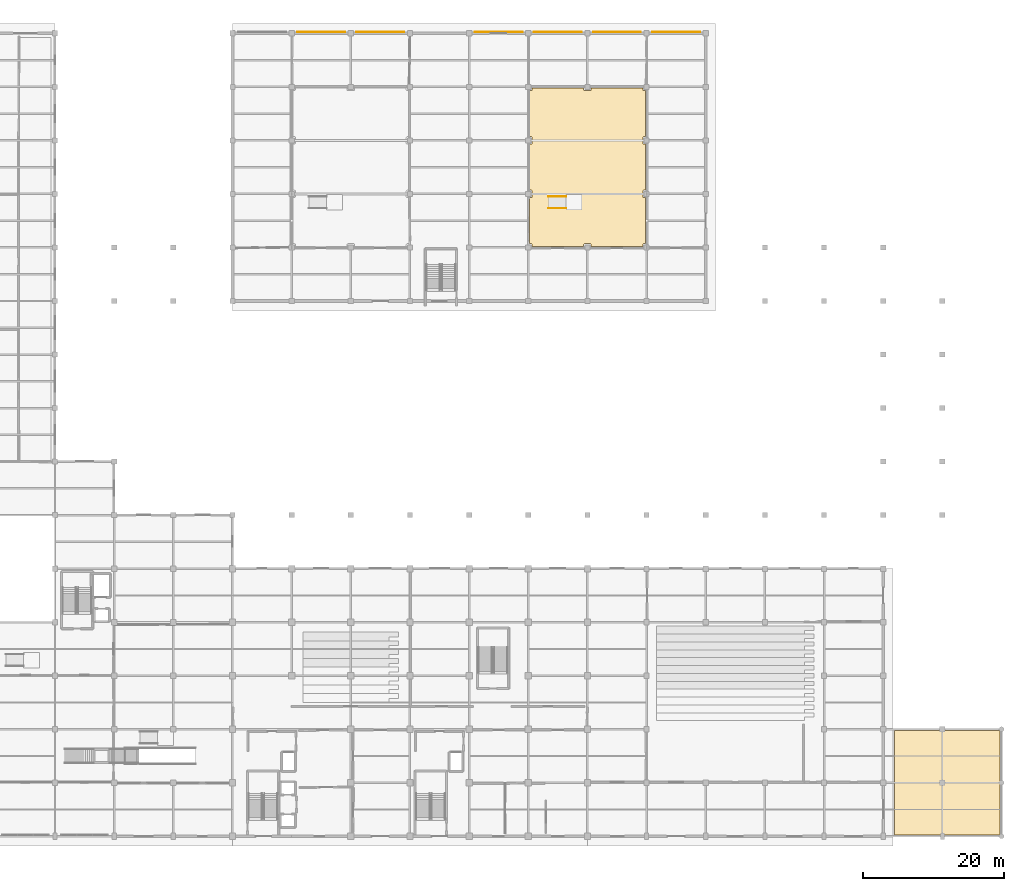
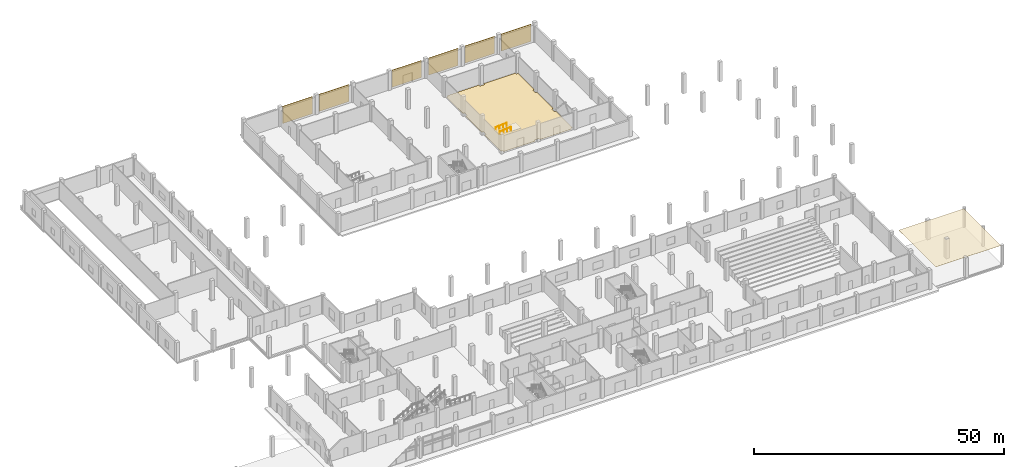
# One storey, part 36 of 36: 8 coverings, 2 railings.
"""IFC4 building model written with IfcOpenShell, lengths in metres."""

from ifc_helpers import new_model, si_unit, direction, frame, origin, origin_2d, place, context, subcontext, project, spatial, polyline, rectangle, circle, outline, extrude, material, layer, layer_set, type_object, element, save


model = new_model("IFC4")

# Units and contexts
model_context = context("Model", 3, precision=1e-05, world=origin(), true_north=direction((0.0, 1.0)))
body_context = subcontext(model_context, "Body", "Model", "MODEL_VIEW")
ifc_project = project(units=[si_unit("LENGTHUNIT", "METRE"), si_unit("AREAUNIT", "SQUARE_METRE"), si_unit("VOLUMEUNIT", "CUBIC_METRE"), si_unit("PLANEANGLEUNIT", "RADIAN"), si_unit("MASSUNIT", "GRAM", prefix="KILO")], contexts=[model_context])

# Site, building, storey
site_placement = place(None, origin())
site = spatial("IfcSite", under=ifc_project, at=site_placement, CompositionType="ELEMENT")
building_placement = place(site_placement, origin())
building = spatial("IfcBuilding", under=site, at=building_placement, Name="Zuvorla Pavilion Media Centre", CompositionType="ELEMENT")
storey_placement = place(building_placement, origin())
storey = spatial("IfcBuildingStorey", under=building, at=storey_placement, Name="L00", CompositionType="ELEMENT", Elevation=0.0)

# Coverings
ifc_material_1 = material(Name="Dark charcoal terracotta acoustic rainscreen cladding", Category="masonry")
ifc_layer_1 = layer(ifc_material_1, 0.06005859375)
ifc_layer_set_1 = layer_set([ifc_layer_1], Name="Dark charcoal terracotta acoustic rainscreen cladding")
covering_type_1 = type_object("IfcCoveringType", Name="COV-CLAD-DARK", PredefinedType="CLADDING", material=ifc_layer_set_1)
for number, where, z_axis, x_axis, name in (
    (1, (79.39990234375, 120.219970703125, 0.10009765625), (0.0, 0.0, 1.0), (1.0, 0.0, 0.0), "L00 charcoal terracotta cladding 2"),
    (2, (87.800048828125, 120.219970703125, 0.10009765625), (0.0, 0.0, 1.0), (1.0, 0.0, 0.0), "L00 charcoal terracotta cladding 3"),
    (3, (104.60009765625, 120.219970703125, 0.10009765625), (0.0, 0.0, 1.0), (1.0, 0.0, 0.0), "L00 charcoal terracotta cladding 4"),
    (4, (113.0, 120.219970703125, 0.10009765625), (0.0, 0.0, 1.0), (1.0, 0.0, 0.0), "L00 charcoal terracotta cladding 5"),
    (5, (121.39990234375, 120.219970703125, 0.10009765625), (0.0, 0.0, 1.0), (1.0, 0.0, 0.0), "L00 charcoal terracotta cladding 6"),
    (6, (129.800048828125, 120.219970703125, 0.10009765625), (0.0, 0.0, 1.0), (1.0, 0.0, 0.0), "L00 charcoal terracotta cladding 7"),
):
    element("IfcCovering", number, at=place(storey_placement, frame(where, z_axis=z_axis, x_axis=x_axis)), inside=storey, type_object=covering_type_1, Name=name, PredefinedType="CLADDING", context=body_context, shape_type="SweptSolid", body=[
        extrude(rectangle(XDim=6.800048828125, YDim=0.06005859375, at=origin_2d()), origin(), (0.0, 0.0, 1.0), 4.199951171875),
    ])
ifc_material_2 = material(Name="Floating resilient acoustic hardwood studio floor", Category="wood")
ifc_layer_2 = layer(ifc_material_2, 0.050048828125)
ifc_layer_set_2 = layer_set([ifc_layer_2], Name="Floating resilient acoustic hardwood studio floor")
covering_type_2 = type_object("IfcCoveringType", Name="COV-FLR-ACOUST", PredefinedType="FLOORING", material=ifc_layer_set_2)
covering_1_placement = place(storey_placement, origin())
element("IfcCovering", 7, at=covering_1_placement, inside=storey, type_object=covering_type_2, Name="L00 acoustic studio floor 4", PredefinedType="FLOORING", context=body_context, shape_type="SweptSolid", body=[
    extrude(outline(polyline([(109.18505859375, 96.6650390625), (109.19970703125, 96.665771484375), (109.21435546875, 96.66796875), (109.228515625, 96.67138671875), (109.242431640625, 96.676513671875), (109.255615234375, 96.6826171875), (109.268310546875, 96.690185546875), (109.2802734375, 96.698974609375), (109.291015625, 96.708984375), (109.301025390625, 96.7197265625), (109.309814453125, 96.731689453125), (109.3173828125, 96.744384765625), (109.323486328125, 96.757568359375), (109.32861328125, 96.771484375), (109.33203125, 96.78564453125), (109.334228515625, 96.80029296875), (109.3349609375, 96.81494140625), (109.3349609375, 97.5849609375), (109.334228515625, 97.599609375), (109.33203125, 97.6142578125), (109.32861328125, 97.62841796875), (109.323486328125, 97.642333984375), (109.3173828125, 97.65576171875), (109.309814453125, 97.668212890625), (109.301025390625, 97.68017578125), (109.291015625, 97.691162109375), (109.2802734375, 97.700927734375), (109.268310546875, 97.709716796875), (109.255615234375, 97.71728515625), (109.242431640625, 97.7236328125), (109.228515625, 97.728515625), (109.21435546875, 97.732177734375), (109.19970703125, 97.734375), (109.18505859375, 97.735107421875), (108.949951171875, 97.735107421875), (108.949951171875, 104.264892578125), (109.18505859375, 104.264892578125), (109.19970703125, 104.265625), (109.21435546875, 104.267822265625), (109.228515625, 104.271484375), (109.242431640625, 104.2763671875), (109.255615234375, 104.28271484375), (109.268310546875, 104.290283203125), (109.2802734375, 104.299072265625), (109.291015625, 104.308837890625), (109.301025390625, 104.31982421875), (109.309814453125, 104.331787109375), (109.3173828125, 104.34423828125), (109.323486328125, 104.357666015625), (109.32861328125, 104.37158203125), (109.33203125, 104.3857421875), (109.334228515625, 104.400390625), (109.3349609375, 104.4150390625), (109.3349609375, 105.18505859375), (109.334228515625, 105.19970703125), (109.33203125, 105.21435546875), (109.32861328125, 105.228515625), (109.323486328125, 105.242431640625), (109.3173828125, 105.255615234375), (109.309814453125, 105.268310546875), (109.301025390625, 105.2802734375), (109.291015625, 105.291015625), (109.2802734375, 105.301025390625), (109.268310546875, 105.309814453125), (109.255615234375, 105.3173828125), (109.242431640625, 105.323486328125), (109.228515625, 105.32861328125), (109.21435546875, 105.33203125), (109.19970703125, 105.334228515625), (109.18505859375, 105.3349609375), (108.949951171875, 105.3349609375), (108.949951171875, 111.864990234375), (109.18505859375, 111.864990234375), (109.19970703125, 111.86572265625), (109.21435546875, 111.867919921875), (109.228515625, 111.87158203125), (109.242431640625, 111.87646484375), (109.255615234375, 111.8828125), (109.268310546875, 111.890380859375), (109.2802734375, 111.89892578125), (109.291015625, 111.908935546875), (109.301025390625, 111.919921875), (109.309814453125, 111.931640625), (109.3173828125, 111.9443359375), (109.323486328125, 111.95751953125), (109.32861328125, 111.971435546875), (109.33203125, 111.985595703125), (109.334228515625, 112.000244140625), (109.3349609375, 112.014892578125), (109.3349609375, 112.239990234375), (116.6650390625, 112.239990234375), (116.6650390625, 112.014892578125), (116.665771484375, 112.000244140625), (116.66796875, 111.985595703125), (116.67138671875, 111.971435546875), (116.676513671875, 111.95751953125), (116.6826171875, 111.9443359375), (116.690185546875, 111.931640625), (116.698974609375, 111.919921875), (116.708984375, 111.908935546875), (116.7197265625, 111.89892578125), (116.731689453125, 111.890380859375), (116.744384765625, 111.8828125), (116.757568359375, 111.87646484375), (116.771484375, 111.87158203125), (116.78564453125, 111.867919921875), (116.80029296875, 111.86572265625), (116.81494140625, 111.864990234375), (117.5849609375, 111.864990234375), (117.599609375, 111.86572265625), (117.6142578125, 111.867919921875), (117.62841796875, 111.87158203125), (117.642333984375, 111.87646484375), (117.65576171875, 111.8828125), (117.668212890625, 111.890380859375), (117.68017578125, 111.89892578125), (117.691162109375, 111.908935546875), (117.700927734375, 111.919921875), (117.709716796875, 111.931640625), (117.71728515625, 111.9443359375), (117.7236328125, 111.95751953125), (117.728515625, 111.971435546875), (117.732177734375, 111.985595703125), (117.734375, 112.000244140625), (117.735107421875, 112.014892578125), (117.735107421875, 112.239990234375), (125.06494140625, 112.239990234375), (125.06494140625, 112.014892578125), (125.065673828125, 112.000244140625), (125.06787109375, 111.985595703125), (125.071533203125, 111.971435546875), (125.076416015625, 111.95751953125), (125.082763671875, 111.9443359375), (125.09033203125, 111.931640625), (125.09912109375, 111.919921875), (125.10888671875, 111.908935546875), (125.119873046875, 111.89892578125), (125.131591796875, 111.890380859375), (125.144287109375, 111.8828125), (125.15771484375, 111.87646484375), (125.17138671875, 111.87158203125), (125.185791015625, 111.867919921875), (125.2001953125, 111.86572265625), (125.215087890625, 111.864990234375), (125.43994140625, 111.864990234375), (125.43994140625, 105.3349609375), (125.215087890625, 105.3349609375), (125.2001953125, 105.334228515625), (125.185791015625, 105.33203125), (125.17138671875, 105.32861328125), (125.15771484375, 105.323486328125), (125.144287109375, 105.3173828125), (125.131591796875, 105.309814453125), (125.119873046875, 105.301025390625), (125.10888671875, 105.291015625), (125.09912109375, 105.2802734375), (125.09033203125, 105.268310546875), (125.082763671875, 105.255615234375), (125.076416015625, 105.242431640625), (125.071533203125, 105.228515625), (125.06787109375, 105.21435546875), (125.065673828125, 105.19970703125), (125.06494140625, 105.18505859375), (125.06494140625, 104.4150390625), (125.065673828125, 104.400390625), (125.06787109375, 104.3857421875), (125.071533203125, 104.37158203125), (125.076416015625, 104.357666015625), (125.082763671875, 104.34423828125), (125.09033203125, 104.331787109375), (125.09912109375, 104.31982421875), (125.10888671875, 104.308837890625), (125.119873046875, 104.299072265625), (125.131591796875, 104.290283203125), (125.144287109375, 104.28271484375), (125.15771484375, 104.2763671875), (125.17138671875, 104.271484375), (125.185791015625, 104.267822265625), (125.2001953125, 104.265625), (125.215087890625, 104.264892578125), (125.43994140625, 104.264892578125), (125.43994140625, 97.735107421875), (125.215087890625, 97.735107421875), (125.2001953125, 97.734375), (125.185791015625, 97.732177734375), (125.17138671875, 97.728515625), (125.15771484375, 97.7236328125), (125.144287109375, 97.71728515625), (125.131591796875, 97.709716796875), (125.119873046875, 97.700927734375), (125.10888671875, 97.691162109375), (125.09912109375, 97.68017578125), (125.09033203125, 97.668212890625), (125.082763671875, 97.65576171875), (125.076416015625, 97.642333984375), (125.071533203125, 97.62841796875), (125.06787109375, 97.6142578125), (125.065673828125, 97.599609375), (125.06494140625, 97.5849609375), (125.06494140625, 96.81494140625), (125.065673828125, 96.80029296875), (125.06787109375, 96.78564453125), (125.071533203125, 96.771484375), (125.076416015625, 96.757568359375), (125.082763671875, 96.744384765625), (125.09033203125, 96.731689453125), (125.09912109375, 96.7197265625), (125.10888671875, 96.708984375), (125.119873046875, 96.698974609375), (125.131591796875, 96.690185546875), (125.144287109375, 96.6826171875), (125.15771484375, 96.676513671875), (125.17138671875, 96.67138671875), (125.185791015625, 96.66796875), (125.2001953125, 96.665771484375), (125.215087890625, 96.6650390625), (125.43994140625, 96.6650390625), (125.43994140625, 90.135009765625), (125.215087890625, 90.135009765625), (125.2001953125, 90.13427734375), (125.185791015625, 90.132080078125), (125.17138671875, 90.12841796875), (125.15771484375, 90.12353515625), (125.144287109375, 90.1171875), (125.131591796875, 90.109619140625), (125.119873046875, 90.10107421875), (125.10888671875, 90.091064453125), (125.09912109375, 90.080078125), (125.09033203125, 90.068359375), (125.082763671875, 90.0556640625), (125.076416015625, 90.04248046875), (125.071533203125, 90.028564453125), (125.06787109375, 90.014404296875), (125.065673828125, 89.999755859375), (125.06494140625, 89.985107421875), (125.06494140625, 89.760009765625), (117.735107421875, 89.760009765625), (117.735107421875, 89.985107421875), (117.734375, 89.999755859375), (117.732177734375, 90.014404296875), (117.728515625, 90.028564453125), (117.7236328125, 90.04248046875), (117.71728515625, 90.0556640625), (117.709716796875, 90.068359375), (117.700927734375, 90.080078125), (117.691162109375, 90.091064453125), (117.68017578125, 90.10107421875), (117.668212890625, 90.109619140625), (117.65576171875, 90.1171875), (117.642333984375, 90.12353515625), (117.62841796875, 90.12841796875), (117.6142578125, 90.132080078125), (117.599609375, 90.13427734375), (117.5849609375, 90.135009765625), (116.81494140625, 90.135009765625), (116.80029296875, 90.13427734375), (116.78564453125, 90.132080078125), (116.771484375, 90.12841796875), (116.757568359375, 90.12353515625), (116.744384765625, 90.1171875), (116.731689453125, 90.109619140625), (116.7197265625, 90.10107421875), (116.708984375, 90.091064453125), (116.698974609375, 90.080078125), (116.690185546875, 90.068359375), (116.6826171875, 90.0556640625), (116.676513671875, 90.04248046875), (116.67138671875, 90.028564453125), (116.66796875, 90.014404296875), (116.665771484375, 89.999755859375), (116.6650390625, 89.985107421875), (116.6650390625, 89.760009765625), (109.3349609375, 89.760009765625), (109.3349609375, 89.985107421875), (109.334228515625, 89.999755859375), (109.33203125, 90.014404296875), (109.32861328125, 90.028564453125), (109.323486328125, 90.04248046875), (109.3173828125, 90.0556640625), (109.309814453125, 90.068359375), (109.301025390625, 90.080078125), (109.291015625, 90.091064453125), (109.2802734375, 90.10107421875), (109.268310546875, 90.109619140625), (109.255615234375, 90.1171875), (109.242431640625, 90.12353515625), (109.228515625, 90.12841796875), (109.21435546875, 90.132080078125), (109.19970703125, 90.13427734375), (109.18505859375, 90.135009765625), (108.949951171875, 90.135009765625), (108.949951171875, 96.6650390625), (109.18505859375, 96.6650390625)])), origin(), (0.0, 0.0, 1.0), 0.050048828125),
])
ifc_material_3 = material(Name="Odum Iroko hardwood timber acoustic slats", Category="wood")
ifc_layer_3 = layer(ifc_material_3, 0.0400390625)
ifc_layer_set_3 = layer_set([ifc_layer_3], Name="Odum Iroko hardwood timber acoustic slats")
covering_type_3 = type_object("IfcCoveringType", Name="COV-SOFFIT-ODUM", PredefinedType="CEILING", material=ifc_layer_set_3)
covering_2_placement = place(storey_placement, frame((0.0, 0.0, 4.52001953125)))
element("IfcCovering", 8, at=covering_2_placement, inside=storey, type_object=covering_type_3, Name="L00 Odum timber soffit SOF-COLE", PredefinedType="CEILING", context=body_context, shape_type="SweptSolid", body=[
    extrude(outline(polyline([(160.800048828125, 6.199951171875), (175.800048828125, 6.199951171875), (175.800048828125, 21.0), (160.800048828125, 21.0), (160.800048828125, 6.199951171875)])), origin(), (0.0, 0.0, 1.0), 0.0400390625),
])

# Railings
ifc_material_4 = material(Name="Brushed stainless steel tubular handrail", Category="steel")
railing_type = type_object("IfcRailingType", Name="RL-INT-HND", PredefinedType="HANDRAIL", material=ifc_material_4)
for number, where, name in (
    (9, (111.639892578125, 95.159912109375, 0.0), "Accessible ramp handrail RMP-ACC-04 S"),
    (10, (111.639892578125, 96.840087890625, 0.0), "Accessible ramp handrail RMP-ACC-04 N"),
):
    element("IfcRailing", number, at=place(storey_placement, frame(where)), inside=storey, type_object=railing_type, Name=name, PredefinedType="HANDRAIL", context=body_context, shape_type="SweptSolid", body=[
        extrude(circle(Radius=0.02392578125, at=origin_2d()), frame((0.02880859375, 0.0, 0.878173828125), z_axis=(0.996547089785, 0.0, 0.083029499827), x_axis=(0.0, 1.0, 0.0)), (0.0, 0.0, 1.0), 2.470947265625),
        extrude(circle(Radius=0.02099609375, at=origin_2d()), origin(), (0.0, 0.0, 1.0), 0.849853515625),
        extrude(circle(Radius=0.02099609375, at=origin_2d()), frame((0.840087890625, 0.0, 0.070068359375)), (0.0, 0.0, 1.0), 0.849853515625),
        extrude(circle(Radius=0.02099609375, at=origin_2d()), frame((1.679931640625, 0.0, 0.139892578125)), (0.0, 0.0, 1.0), 0.849853515625),
        extrude(circle(Radius=0.02099609375, at=origin_2d()), frame((2.52001953125, 0.0, 0.2099609375)), (0.0, 0.0, 1.0), 0.849853515625),
    ])

save(model, "model.ifc")
